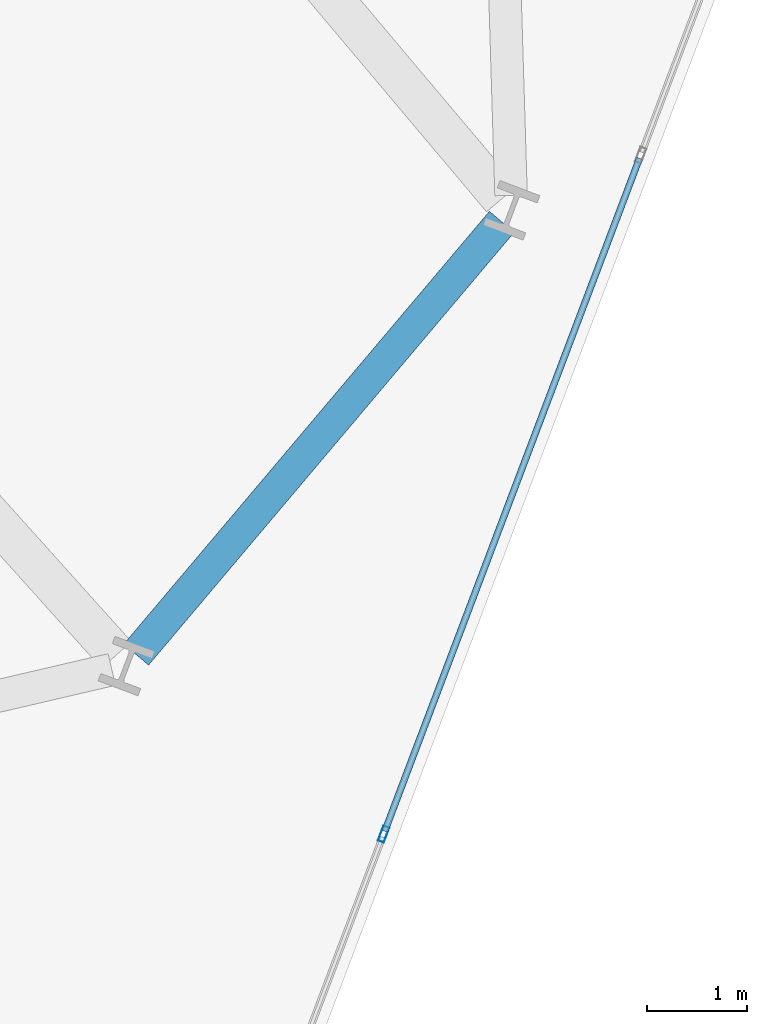
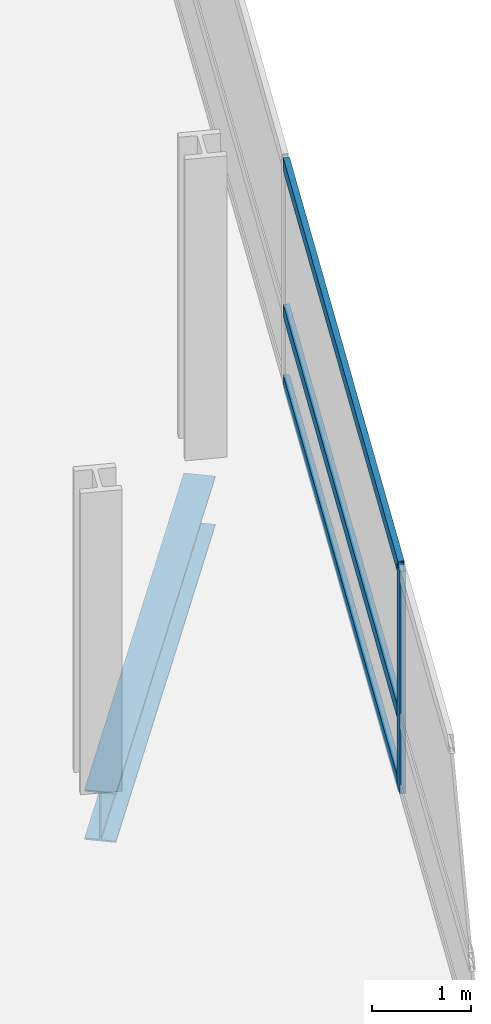
# One storey, part 11 of 25: 4 members, 1 beam, 1 element without a shape of its own.
"""IFC4 building model written with IfcOpenShell, lengths in metres."""

import ifcopenshell
import ifcopenshell.guid

model = None  # the IFC model being written
_history = None  # IfcOwnerHistory: only IFC2X3 demands one
_inside = {}  # id of a spatial element -> (the spatial element, [elements in it])
_under = {}  # id of a project, library or spatial element -> (it, [spatial elements below it])
_declared = {}  # id of a project -> (the project, [libraries it declares])
_typed = {}  # id of a type object -> (the type object, [elements of that type])
_made_of = {}  # id of a material, layer set ... -> (it, [elements and type objects made of it])


def new_model(schema):
    """Start an empty IFC model of exactly this schema.

    Asked for "IFC4X3", IfcOpenShell would pick the latest addendum, in which some entities
    have other attributes; the version numbers below select the first issue.
    IFC2X3 requires an IfcOwnerHistory on every rooted entity: one is made here for all.
    """
    global model, _history
    if schema == "IFC4X3":
        model = ifcopenshell.file(schema_version=(4, 3, 0, 0))
    else:
        model = ifcopenshell.file(schema=schema)
    _inside.clear()
    _under.clear()
    _declared.clear()
    _typed.clear()
    _made_of.clear()
    _history = None
    if model.schema == "IFC2X3":
        org = make("IfcOrganization", Name="unknown")
        user = make(
            "IfcPersonAndOrganization",
            ThePerson=make("IfcPerson", FamilyName="unknown"),
            TheOrganization=org,
        )
        app = make(
            "IfcApplication",
            ApplicationDeveloper=org,
            Version="unknown",
            ApplicationFullName="unknown",
            ApplicationIdentifier="unknown",
        )
        _history = make(
            "IfcOwnerHistory",
            OwningUser=user,
            OwningApplication=app,
            ChangeAction="ADDED",
            CreationDate=0,
        )
    return model


def make(cls, **values):
    """One entity of the class cls with the attributes given. An attribute that is None is left unset."""
    return model.create_entity(
        cls, **{name: value for name, value in values.items() if value is not None}
    )


def rooted(cls, **values):
    """An entity with a GlobalId (a new one), such as an element, a storey or a relation."""
    return make(cls, GlobalId=ifcopenshell.guid.new(), OwnerHistory=_history, **values)


def si_unit(unit_type, name, prefix=None):
    """IfcSIUnit, for example si_unit("LENGTHUNIT", "METRE", prefix="MILLI")."""
    return make("IfcSIUnit", UnitType=unit_type, Prefix=prefix, Name=name)


def assignment(units):
    """IfcUnitAssignment: the units of a project."""
    return None if units is None else make("IfcUnitAssignment", Units=units)


def point(xyz):
    """IfcCartesianPoint."""
    return None if xyz is None else make("IfcCartesianPoint", Coordinates=xyz)


def direction(xyz):
    """IfcDirection."""
    return None if xyz is None else make("IfcDirection", DirectionRatios=xyz)


def frame(location, z_axis=None, x_axis=None):
    """IfcAxis2Placement3D, a coordinate frame: its origin and axes. An axis left out is left unset."""
    return make(
        "IfcAxis2Placement3D",
        Location=point(location),
        Axis=direction(z_axis),
        RefDirection=direction(x_axis),
    )


def frame_2d(location, x_axis=None):
    """IfcAxis2Placement2D, a coordinate frame in the plane: its origin and x axis."""
    return make(
        "IfcAxis2Placement2D", Location=point(location), RefDirection=direction(x_axis)
    )


def origin():
    """The frame at (0, 0, 0) with its axes left unset."""
    return frame((0.0, 0.0, 0.0))


def origin_2d():
    """The frame at (0, 0) in the plane with its x axis left unset."""
    return frame_2d((0.0, 0.0))


def place(relative_to, where):
    """IfcLocalPlacement: puts the frame where relative to a parent placement (None: the world)."""
    return make(
        "IfcLocalPlacement", PlacementRelTo=relative_to, RelativePlacement=where
    )


def context(
    kind, dimensions, precision=None, world=None, true_north=None, identifier=None
):
    """IfcGeometricRepresentationContext, for example the 3D "Model" context."""
    return make(
        "IfcGeometricRepresentationContext",
        ContextIdentifier=identifier,
        ContextType=kind,
        CoordinateSpaceDimension=dimensions,
        Precision=precision,
        WorldCoordinateSystem=world,
        TrueNorth=true_north,
    )


def subcontext(parent, identifier, kind, view, scale=None):
    """IfcGeometricRepresentationSubContext, for example "Body" below "Model"."""
    return make(
        "IfcGeometricRepresentationSubContext",
        ContextIdentifier=identifier,
        ContextType=kind,
        ParentContext=parent,
        TargetScale=scale,
        TargetView=view,
    )


def project(units=None, contexts=None):
    """IfcProject with its units and contexts."""
    return rooted(
        "IfcProject",
        Name="project",
        RepresentationContexts=contexts,
        UnitsInContext=assignment(units),
    )


def spatial(cls, under=None, at=None, **own):
    """A site, building, storey or space (cls), placed at a placement, below another one or the project."""
    s = rooted(cls, ObjectPlacement=at, **own)
    if under is not None:
        _under.setdefault(under.id(), (under, []))[1].append(s)
    return s


def profile(cls, at=None, kind="AREA", **sizes):
    """A parametric profile (cls). Its sizes go by their IFC names, for example OverallWidth=200.0."""
    return make(cls, ProfileType=kind, Position=at, **sizes)


def hollow_rectangle(**sizes):
    """IfcRectangleHollowProfileDef."""
    return profile("IfcRectangleHollowProfileDef", **sizes)


def i_section(**sizes):
    """IfcIShapeProfileDef."""
    return profile("IfcIShapeProfileDef", **sizes)


def extrude(swept, where, along, depth):
    """IfcExtrudedAreaSolid: the profile swept, set in the frame where, extruded along a direction by depth."""
    return make(
        "IfcExtrudedAreaSolid",
        SweptArea=swept,
        Position=where,
        ExtrudedDirection=direction(along),
        Depth=depth,
    )


def shape(context_of_items, identifier, shape_type, items):
    """IfcShapeRepresentation: the items that make up one representation, for example the "Body"."""
    return make(
        "IfcShapeRepresentation",
        ContextOfItems=context_of_items,
        RepresentationIdentifier=identifier,
        RepresentationType=shape_type,
        Items=items,
    )


def material(Name=None, Category=None):
    """IfcMaterial."""
    return make("IfcMaterial", Name=Name, Category=Category)


def layer(
    of_material, thickness, ventilated=None, Name=None, Category=None, Priority=None
):
    """IfcMaterialLayer: one layer of a wall or slab, of a material (None: an air gap)."""
    return make(
        "IfcMaterialLayer",
        Material=of_material,
        LayerThickness=thickness,
        IsVentilated=ventilated,
        Name=Name,
        Category=Category,
        Priority=Priority,
    )


def layer_set(layers, Name=None):
    """IfcMaterialLayerSet."""
    return make("IfcMaterialLayerSet", MaterialLayers=layers, LayerSetName=Name)


def material_profile(
    of_material, cross_section, Name=None, Category=None, Priority=None
):
    """IfcMaterialProfile: a cross section and its material."""
    return make(
        "IfcMaterialProfile",
        Name=Name,
        Material=of_material,
        Profile=cross_section,
        Priority=Priority,
        Category=Category,
    )


def profile_set(profiles, Name=None, composite=None):
    """IfcMaterialProfileSet."""
    return make(
        "IfcMaterialProfileSet",
        Name=Name,
        MaterialProfiles=profiles,
        CompositeProfile=composite,
    )


def made_of(thing, what):
    """Note that an element or type object is made of a material, layer set ...; save() writes the relation."""
    if what is not None:
        _made_of.setdefault(what.id(), (what, []))[1].append(thing)
    return thing


def type_object(cls, material=None, **own):
    """A type object (cls), such as IfcWallType, which elements share."""
    return made_of(rooted(cls, **own), material)


def element(
    cls,
    number,
    at=None,
    inside=None,
    cuts=None,
    type_object=None,
    material=None,
    context=None,
    identifier="Body",
    shape_type=None,
    held_by="IfcProductDefinitionShape",
    body=None,
    shapes=None,
    **own,
):
    """One element of the class cls, such as IfcWall. Its Tag is "e" and its number.

    at: its placement. inside: the storey or other place that contains it. cuts: it is an
    opening in that element (IfcRelVoidsElement). A single representation is given by context,
    identifier, shape_type and body (its items); several are given by shapes. held_by: the class
    of the entity that holds the representations. save() writes the other relations.
    """
    e = rooted(cls, Tag="e%d" % number, ObjectPlacement=at, **own)
    if body is not None:
        shapes = [shape(context, identifier, shape_type, body)]
    if shapes is not None:
        e.Representation = make(held_by, Representations=shapes)
    if inside is not None:
        _inside.setdefault(inside.id(), (inside, []))[1].append(e)
    if cuts is not None:
        rooted(
            "IfcRelVoidsElement", RelatingBuildingElement=cuts, RelatedOpeningElement=e
        )
    if type_object is not None:
        _typed.setdefault(type_object.id(), (type_object, []))[1].append(e)
    return made_of(e, material)


def aggregate(whole, parts):
    """IfcRelAggregates: a whole, such as a stair, and the parts it consists of."""
    return rooted("IfcRelAggregates", RelatingObject=whole, RelatedObjects=parts)


def save(model, path):
    """Write the relations noted so far, then the file.

    IfcRelAggregates (storeys below a building ...), IfcRelContainedInSpatialStructure (elements
    in a storey), IfcRelDefinesByType, IfcRelAssociatesMaterial and IfcRelDeclares: one each for
    every whole, place, type object, material and project.
    """
    for whole, parts in _under.values():
        aggregate(whole, parts)
    for where, things in _inside.values():
        rooted(
            "IfcRelContainedInSpatialStructure",
            RelatedElements=things,
            RelatingStructure=where,
        )
    for kind, things in _typed.values():
        rooted("IfcRelDefinesByType", RelatedObjects=things, RelatingType=kind)
    for what, things in _made_of.values():
        rooted("IfcRelAssociatesMaterial", RelatedObjects=things, RelatingMaterial=what)
    for by, libraries in _declared.values():
        rooted("IfcRelDeclares", RelatingContext=by, RelatedDefinitions=libraries)
    model.write(path)


model = new_model("IFC4")

# Units and contexts
model_context = context("Model", 3, precision=1e-05, world=origin(), true_north=direction((0.0, 1.0)))
body_context = subcontext(model_context, "Body", "Model", "MODEL_VIEW")
ifc_project = project(units=[si_unit("LENGTHUNIT", "METRE"), si_unit("AREAUNIT", "SQUARE_METRE"), si_unit("VOLUMEUNIT", "CUBIC_METRE"), si_unit("PLANEANGLEUNIT", "RADIAN"), si_unit("MASSUNIT", "GRAM", prefix="KILO")], contexts=[model_context])

# Site, building, storey
site_placement = place(None, origin())
site = spatial("IfcSite", under=ifc_project, at=site_placement, CompositionType="ELEMENT")
building_placement = place(site_placement, origin())
building = spatial("IfcBuilding", under=site, at=building_placement, Name="Varnelok Gate Tower", CompositionType="ELEMENT")
storey_placement = place(building_placement, frame((0.0, 0.0, 76.199951171875)))
storey = spatial("IfcBuildingStorey", under=building, at=storey_placement, Name="L18", CompositionType="ELEMENT", Elevation=76.199951171875)

# Beam
ifc_material_1 = material(Name="Structural Steel ASTM A992 Grade 50", Category="steel")
ifc_material_profile_1 = material_profile(ifc_material_1, i_section(OverallWidth=0.323974609375, OverallDepth=0.611083984375, WebThickness=0.0126953125, FlangeThickness=0.01904296875, FilletRadius=0.01806640625, at=origin_2d()), Name="W24X104")
ifc_profile_set_1 = profile_set([ifc_material_profile_1], Name="Structural Steel ASTM A992 Grade 50")
beam_type = type_object("IfcBeamType", Name="BM-SPN-W24X104", PredefinedType="SPANDREL", material=ifc_profile_set_1)
beam_placement = place(storey_placement, frame((67.7333984375, 3.7421875, -0.555419921875), z_axis=(0.645380340265, 0.763861385592, 0.0), x_axis=(-0.763861385592, 0.645380340265, 0.0)))
element("IfcBeam", 1, at=beam_placement, inside=storey, type_object=beam_type, Name="L18 Perimeter Spandrel Beam 6", PredefinedType="SPANDREL", context=body_context, shape_type="SweptSolid", body=[
    extrude(i_section(OverallWidth=0.323974609375, OverallDepth=0.611083984375, WebThickness=0.0126953125, FlangeThickness=0.01904296875, FilletRadius=0.01806640625, at=origin_2d()), origin(), (0.0, 0.0, 1.0), 5.650146484375),
])

# Curtain wall, members
ifc_material_2 = material(Name="Anodized Aluminum Alloy 6063-T6", Category="aluminium")
ifc_layer = layer(ifc_material_2, 0.179931640625)
ifc_layer_set = layer_set([ifc_layer], Name="Anodized Aluminum Alloy 6063-T6")
curtain_wall_type = type_object("IfcCurtainWallType", Name="CW3-HOTEL-VISION", PredefinedType="USERDEFINED", material=ifc_layer_set)
curtain_wall_placement = place(storey_placement, origin())
curtain_wall = element("IfcCurtainWall", 2, at=curtain_wall_placement, inside=storey, type_object=curtain_wall_type, Name="L18 East End Vision Curtain Wall", ObjectType="UNITISED CURTAIN WALL", PredefinedType="USERDEFINED")
ifc_material_profile_2 = material_profile(ifc_material_2, hollow_rectangle(XDim=0.06494140625, YDim=0.159912109375, WallThickness=0.00390625, at=origin_2d()), Name="ALU160X65X4")
ifc_profile_set_2 = profile_set([ifc_material_profile_2], Name="Anodized Aluminum Alloy 6063-T6")
member_type_1 = type_object("IfcMemberType", Name="CW-MULL-160", PredefinedType="MULLION", material=ifc_profile_set_2)
member_1_placement = place(storey_placement, frame((70.201171875, 1.951171875, 0.0), z_axis=(0.0, 0.0, 1.0), x_axis=(0.935221323688, -0.354063660545, 0.0)))
member_1 = element("IfcMember", 3, at=member_1_placement, type_object=member_type_1, Name="CW3 mullion 5", PredefinedType="MULLION", context=body_context, shape_type="SweptSolid", body=[
    extrude(hollow_rectangle(XDim=0.06494140625, YDim=0.159912109375, WallThickness=0.00390625, at=origin_2d()), origin(), (0.0, 0.0, 1.0), 2.72998046875),
])
ifc_material_profile_3 = material_profile(ifc_material_2, hollow_rectangle(XDim=0.06494140625, YDim=0.159912109375, WallThickness=0.00390625, at=origin_2d()), Name="ALU160X65X4")
ifc_profile_set_3 = profile_set([ifc_material_profile_3], Name="Anodized Aluminum Alloy 6063-T6")
member_type_2 = type_object("IfcMemberType", Name="CW-TRAN-160", PredefinedType="USERDEFINED", material=ifc_profile_set_3)
member_2_placement = place(storey_placement, frame((72.753173828125, 8.691650390625, 0.032470703125), z_axis=(-0.354078724634, -0.935215620465, 0.0), x_axis=(0.935215620465, -0.354078724634, 0.0)))
member_2 = element("IfcMember", 4, at=member_2_placement, type_object=member_type_2, Name="CW3 transom 4.1", ObjectType="TRANSOM", PredefinedType="USERDEFINED", context=body_context, shape_type="SweptSolid", body=[
    extrude(hollow_rectangle(XDim=0.06494140625, YDim=0.159912109375, WallThickness=0.00390625, at=origin_2d()), origin(), (0.0, 0.0, 1.0), 7.175048828125),
])
member_3_placement = place(storey_placement, frame((72.753173828125, 8.691650390625, 0.900146484375), z_axis=(-0.354078724634, -0.935215620465, 0.0), x_axis=(0.935215620465, -0.354078724634, 0.0)))
member_3 = element("IfcMember", 5, at=member_3_placement, type_object=member_type_2, Name="CW3 transom 4.2", ObjectType="TRANSOM", PredefinedType="USERDEFINED", context=body_context, shape_type="SweptSolid", body=[
    extrude(hollow_rectangle(XDim=0.06494140625, YDim=0.159912109375, WallThickness=0.00390625, at=origin_2d()), origin(), (0.0, 0.0, 1.0), 7.175048828125),
])
member_4_placement = place(storey_placement, frame((72.753173828125, 8.691650390625, 2.697509765625), z_axis=(-0.354078724634, -0.935215620465, 0.0), x_axis=(0.935215620465, -0.354078724634, 0.0)))
member_4 = element("IfcMember", 6, at=member_4_placement, type_object=member_type_2, Name="CW3 transom 4.3", ObjectType="TRANSOM", PredefinedType="USERDEFINED", context=body_context, shape_type="SweptSolid", body=[
    extrude(hollow_rectangle(XDim=0.06494140625, YDim=0.159912109375, WallThickness=0.00390625, at=origin_2d()), origin(), (0.0, 0.0, 1.0), 7.175048828125),
])
aggregate(curtain_wall, [member_1, member_2, member_3, member_4])

save(model, "model.ifc")
